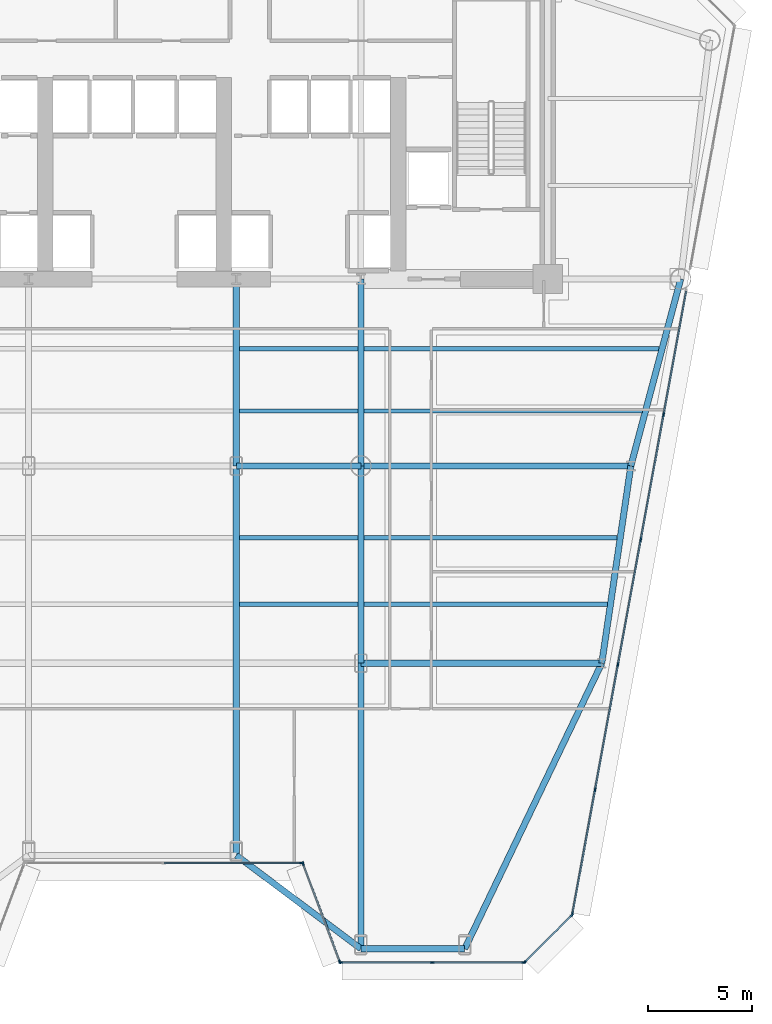
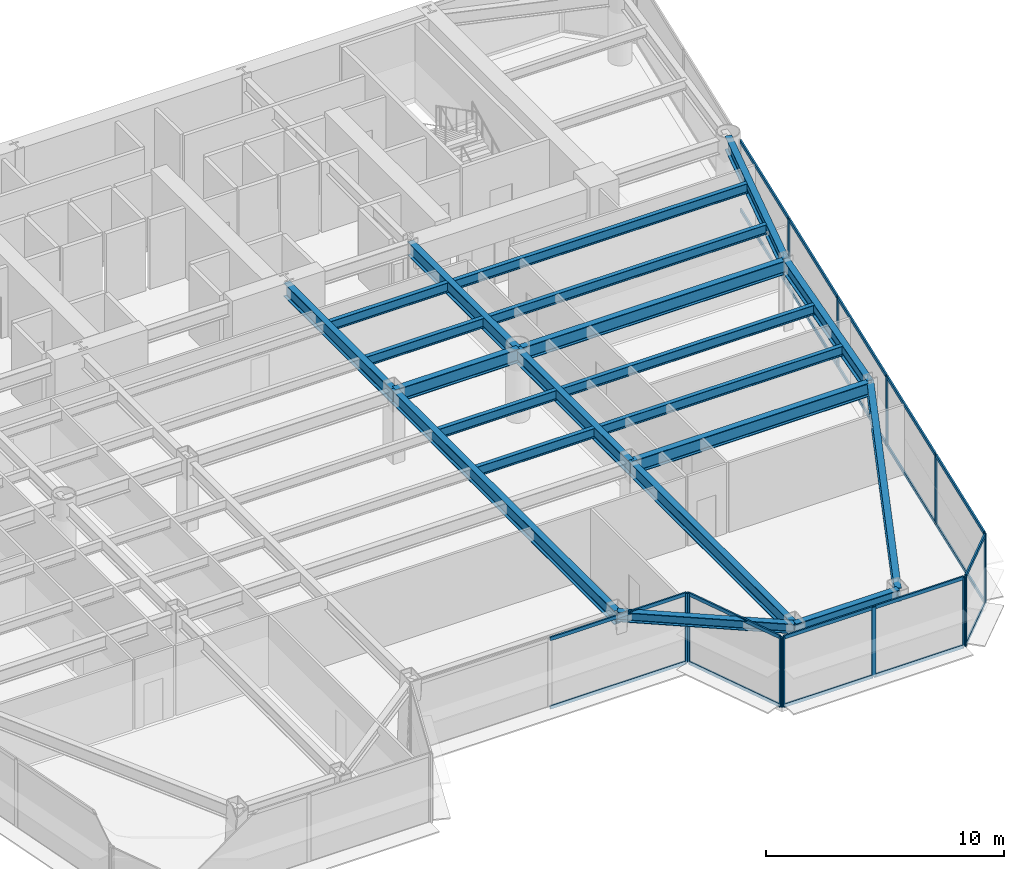
# One storey, part 4 of 14: 33 members, 21 beams, 5 elements without a shape of their own.
"""IFC4 building model written with IfcOpenShell, lengths in metres."""

from ifc_helpers import new_model, si_unit, direction, frame, origin, origin_2d, place, context, subcontext, project, spatial, rectangle, i_section, extrude, source, transform, mapped, material, layer, layer_set, material_profile, profile_set, type_object, element, aggregate, save


model = new_model("IFC4")

# Units and contexts
model_context = context("Model", 3, precision=1e-05, world=origin(), true_north=direction((0.0, 1.0)))
body_context = subcontext(model_context, "Body", "Model", "MODEL_VIEW")
ifc_project = project(units=[si_unit("LENGTHUNIT", "METRE"), si_unit("AREAUNIT", "SQUARE_METRE"), si_unit("VOLUMEUNIT", "CUBIC_METRE"), si_unit("PLANEANGLEUNIT", "RADIAN"), si_unit("MASSUNIT", "GRAM", prefix="KILO")], contexts=[model_context])

# Site, building, storey
site_placement = place(None, origin())
site = spatial("IfcSite", under=ifc_project, at=site_placement, CompositionType="ELEMENT")
building_placement = place(site_placement, origin())
building = spatial("IfcBuilding", under=site, at=building_placement, Name="Vaeldorn Concourse Tower", CompositionType="ELEMENT")
storey_placement = place(building_placement, frame((0.0, 0.0, 88.199951171875)))
storey = spatial("IfcBuildingStorey", under=building, at=storey_placement, Name="L22", CompositionType="ELEMENT", Elevation=88.199951171875)

# Beams
ifc_material_1 = material(Name="Steel S355", Category="steel")
ifc_material_profile_1 = material_profile(ifc_material_1, i_section(OverallWidth=0.199951171875, OverallDepth=0.5, WebThickness=0.01025390625, FlangeThickness=0.01611328125, FilletRadius=0.02099609375, at=origin_2d()), Name="IPE 500")
ifc_profile_set_1 = profile_set([ifc_material_profile_1], Name="Steel S355")
beam_type_1 = type_object("IfcBeamType", Name="BM-JS-IPE500", PredefinedType="JOIST", material=ifc_profile_set_1)
shared_shape_1 = source(origin(), body_context, "Body", "SweptSolid", [
    extrude(i_section(OverallWidth=0.199951171875, OverallDepth=0.5, WebThickness=0.01025390625, FlangeThickness=0.01611328125, FilletRadius=0.02099609375, at=origin_2d()), origin(), (0.0, 0.0, 1.0), 5.7001953125),
])
for number, where, z_axis, x_axis, name in (
    (1, (39.14990234375, 20.840087890625, 3.330078125), (1.0, 0.0, 0.0), (0.0, 1.0, 0.0), "Beam JS-L22-E2-208"),
    (2, (39.14990234375, 24.0400390625, 3.330078125), (1.0, 0.0, 0.0), (0.0, 1.0, 0.0), "Beam JS-L22-E2-240"),
    (3, (39.14990234375, 30.139892578125, 3.330078125), (1.0, 0.0, 0.0), (0.0, 1.0, 0.0), "Beam JS-L22-E2-301"),
    (4, (39.14990234375, 33.139892578125, 3.330078125), (1.0, 0.0, 0.0), (0.0, 1.0, 0.0), "Beam JS-L22-E2-331"),
):
    element("IfcBeam", number, at=place(storey_placement, frame(where, z_axis=z_axis, x_axis=x_axis)), inside=storey, type_object=beam_type_1, Name=name, PredefinedType="JOIST", context=body_context, shape_type="MappedRepresentation", body=[
        mapped(shared_shape_1, transform((0.0, 0.0, 0.0), scale=1.0)),
    ])
shared_shape_2 = source(origin(), body_context, "Body", "SweptSolid", [
    extrude(i_section(OverallWidth=0.199951171875, OverallDepth=0.5, WebThickness=0.01025390625, FlangeThickness=0.01611328125, FilletRadius=0.02099609375, at=origin_2d()), origin(), (0.0, 0.0, 1.0), 11.718505859375),
])
beam_1_placement = place(storey_placement, frame((45.14990234375, 20.840087890625, 3.330078125), z_axis=(1.0, 0.0, 0.0), x_axis=(0.0, 1.0, 0.0)))
element("IfcBeam", 5, at=beam_1_placement, inside=storey, type_object=beam_type_1, Name="Beam JS-L22-E1-208", PredefinedType="JOIST", context=body_context, shape_type="MappedRepresentation", body=[
    mapped(shared_shape_2, transform((0.0, 0.0, 0.0), scale=1.0)),
])
shared_shape_3 = source(origin(), body_context, "Body", "SweptSolid", [
    extrude(i_section(OverallWidth=0.199951171875, OverallDepth=0.5, WebThickness=0.01025390625, FlangeThickness=0.01611328125, FilletRadius=0.02099609375, at=origin_2d()), origin(), (0.0, 0.0, 1.0), 12.190185546875),
])
beam_2_placement = place(storey_placement, frame((45.14990234375, 24.0400390625, 3.330078125), z_axis=(1.0, 0.0, 0.0), x_axis=(0.0, 1.0, 0.0)))
element("IfcBeam", 6, at=beam_2_placement, inside=storey, type_object=beam_type_1, Name="Beam JS-L22-E1-240", PredefinedType="JOIST", context=body_context, shape_type="MappedRepresentation", body=[
    mapped(shared_shape_3, transform((0.0, 0.0, 0.0), scale=1.0)),
])
shared_shape_4 = source(origin(), body_context, "Body", "SweptSolid", [
    extrude(i_section(OverallWidth=0.199951171875, OverallDepth=0.5, WebThickness=0.01025390625, FlangeThickness=0.01611328125, FilletRadius=0.02099609375, at=origin_2d()), origin(), (0.0, 0.0, 1.0), 13.404052734375),
])
beam_3_placement = place(storey_placement, frame((45.14990234375, 30.139892578125, 3.330078125), z_axis=(1.0, 0.0, 0.0), x_axis=(0.0, 1.0, 0.0)))
element("IfcBeam", 7, at=beam_3_placement, inside=storey, type_object=beam_type_1, Name="Beam JS-L22-E1-301", PredefinedType="JOIST", context=body_context, shape_type="MappedRepresentation", body=[
    mapped(shared_shape_4, transform((0.0, 0.0, 0.0), scale=1.0)),
])
shared_shape_5 = source(origin(), body_context, "Body", "SweptSolid", [
    extrude(i_section(OverallWidth=0.199951171875, OverallDepth=0.5, WebThickness=0.01025390625, FlangeThickness=0.01611328125, FilletRadius=0.02099609375, at=origin_2d()), origin(), (0.0, 0.0, 1.0), 14.2041015625),
])
beam_4_placement = place(storey_placement, frame((45.14990234375, 33.139892578125, 3.330078125), z_axis=(1.0, 0.0, 0.0), x_axis=(0.0, 1.0, 0.0)))
element("IfcBeam", 8, at=beam_4_placement, inside=storey, type_object=beam_type_1, Name="Beam JS-L22-E1-331", PredefinedType="JOIST", context=body_context, shape_type="MappedRepresentation", body=[
    mapped(shared_shape_5, transform((0.0, 0.0, 0.0), scale=1.0)),
])
ifc_material_profile_2 = material_profile(ifc_material_1, i_section(OverallWidth=0.300048828125, OverallDepth=0.699951171875, WebThickness=0.01708984375, FlangeThickness=0.031982421875, FilletRadius=0.027099609375, at=origin_2d()), Name="HEB 700")
ifc_profile_set_2 = profile_set([ifc_material_profile_2], Name="Steel S355")
beam_type_2 = type_object("IfcBeamType", Name="BM-PG-HEB700", PredefinedType="BEAM", material=ifc_profile_set_2)
shared_shape_6 = source(origin(), body_context, "Body", "SweptSolid", [
    extrude(i_section(OverallWidth=0.300048828125, OverallDepth=0.699951171875, WebThickness=0.01708984375, FlangeThickness=0.031982421875, FilletRadius=0.027099609375, at=origin_2d()), origin(), (0.0, 0.0, 1.0), 6.0),
])
beam_5_placement = place(storey_placement, frame((39.0, 27.5, 3.22998046875), z_axis=(1.0, 0.0, 0.0), x_axis=(0.0, 1.0, 0.0)))
element("IfcBeam", 9, at=beam_5_placement, inside=storey, type_object=beam_type_2, Name="Beam BM-L22-C-TW3-C-TW4", PredefinedType="BEAM", context=body_context, shape_type="MappedRepresentation", body=[
    mapped(shared_shape_6, transform((0.0, 0.0, 0.0), scale=1.0)),
])
shared_shape_7 = source(origin(), body_context, "Body", "SweptSolid", [
    extrude(i_section(OverallWidth=0.300048828125, OverallDepth=0.699951171875, WebThickness=0.01708984375, FlangeThickness=0.031982421875, FilletRadius=0.027099609375, at=origin_2d()), origin(), (0.0, 0.0, 1.0), 9.0),
])
for number, where, z_axis, x_axis, name in (
    (10, (39.0, 27.5, 3.22998046875), (0.0, 1.0, 0.0), (-1.0, 0.0, 0.0), "Beam BM-L22-C-TW3-C-FC4"),
    (11, (45.0, 27.5, 3.22998046875), (0.0, 1.0, 0.0), (-1.0, 0.0, 0.0), "Beam BM-L22-C-TW4-C-FC5"),
):
    element("IfcBeam", number, at=place(storey_placement, frame(where, z_axis=z_axis, x_axis=x_axis)), inside=storey, type_object=beam_type_2, Name=name, PredefinedType="BEAM", context=body_context, shape_type="MappedRepresentation", body=[
        mapped(shared_shape_7, transform((0.0, 0.0, 0.0), scale=1.0)),
    ])
shared_shape_8 = source(origin(), body_context, "Body", "SweptSolid", [
    extrude(i_section(OverallWidth=0.300048828125, OverallDepth=0.699951171875, WebThickness=0.01708984375, FlangeThickness=0.031982421875, FilletRadius=0.027099609375, at=origin_2d()), origin(), (0.0, 0.0, 1.0), 9.314453125),
])
beam_6_placement = place(storey_placement, frame((60.39990234375, 36.5, 3.22998046875), z_axis=(-0.257652862255, -0.966237549763, 0.0), x_axis=(0.966237549763, -0.257652862255, 0.0)))
element("IfcBeam", 12, at=beam_6_placement, inside=storey, type_object=beam_type_2, Name="Beam BM-L22-C-NE2-C-FLE1", PredefinedType="BEAM", context=body_context, shape_type="MappedRepresentation", body=[
    mapped(shared_shape_8, transform((0.0, 0.0, 0.0), scale=1.0)),
])
shared_shape_9 = source(origin(), body_context, "Body", "SweptSolid", [
    extrude(i_section(OverallWidth=0.300048828125, OverallDepth=0.699951171875, WebThickness=0.01708984375, FlangeThickness=0.031982421875, FilletRadius=0.027099609375, at=origin_2d()), origin(), (0.0, 0.0, 1.0), 13.0),
])
beam_7_placement = place(storey_placement, frame((45.0, 27.5, 3.22998046875), z_axis=(1.0, 0.0, 0.0), x_axis=(0.0, 1.0, 0.0)))
element("IfcBeam", 13, at=beam_7_placement, inside=storey, type_object=beam_type_2, Name="Beam BM-L22-C-TW4-C-FLE1", PredefinedType="BEAM", context=body_context, shape_type="MappedRepresentation", body=[
    mapped(shared_shape_9, transform((0.0, 0.0, 0.0), scale=1.0)),
])
ifc_material_profile_3 = material_profile(ifc_material_1, i_section(OverallWidth=0.300048828125, OverallDepth=0.5, WebThickness=0.014404296875, FlangeThickness=0.028076171875, FilletRadius=0.027099609375, at=origin_2d()), Name="HEB 500")
ifc_profile_set_3 = profile_set([ifc_material_profile_3], Name="Steel S355")
beam_type_3 = type_object("IfcBeamType", Name="BM-SP-HEB500", PredefinedType="SPANDREL", material=ifc_profile_set_3)
shared_shape_10 = source(origin(), body_context, "Body", "SweptSolid", [
    extrude(i_section(OverallWidth=0.300048828125, OverallDepth=0.5, WebThickness=0.014404296875, FlangeThickness=0.028076171875, FilletRadius=0.027099609375, at=origin_2d()), origin(), (0.0, 0.0, 1.0), 5.0),
])
beam_8_placement = place(storey_placement, frame((45.0, 4.2470703125, 3.330078125), z_axis=(1.0, 0.0, 0.0), x_axis=(0.0, 1.0, 0.0)))
element("IfcBeam", 14, at=beam_8_placement, inside=storey, type_object=beam_type_3, Name="Beam BM-L22-C-SF5-C-SF6", PredefinedType="SPANDREL", context=body_context, shape_type="MappedRepresentation", body=[
    mapped(shared_shape_10, transform((0.0, 0.0, 0.0), scale=1.0)),
])
shared_shape_11 = source(origin(), body_context, "Body", "SweptSolid", [
    extrude(i_section(OverallWidth=0.300048828125, OverallDepth=0.5, WebThickness=0.014404296875, FlangeThickness=0.028076171875, FilletRadius=0.027099609375, at=origin_2d()), origin(), (0.0, 0.0, 1.0), 7.5),
])
beam_9_placement = place(storey_placement, frame((39.0, 8.7470703125, 3.330078125), z_axis=(0.8, -0.6, 0.0), x_axis=(0.6, 0.8, 0.0)))
element("IfcBeam", 15, at=beam_9_placement, inside=storey, type_object=beam_type_3, Name="Beam BM-L22-C-SF4-C-SF5", PredefinedType="SPANDREL", context=body_context, shape_type="MappedRepresentation", body=[
    mapped(shared_shape_11, transform((0.0, 0.0, 0.0), scale=1.0)),
])
shared_shape_12 = source(origin(), body_context, "Body", "SweptSolid", [
    extrude(i_section(OverallWidth=0.300048828125, OverallDepth=0.699951171875, WebThickness=0.01708984375, FlangeThickness=0.031982421875, FilletRadius=0.027099609375, at=origin_2d()), origin(), (0.0, 0.0, 1.0), 9.6025390625),
])
beam_10_placement = place(storey_placement, frame((58.0, 27.5, 3.22998046875), z_axis=(-0.145783835977, -0.989316467652, 0.0), x_axis=(0.989316467652, -0.145783835977, 0.0)))
element("IfcBeam", 16, at=beam_10_placement, inside=storey, type_object=beam_type_2, Name="Beam BM-L22-C-FLE1-C-FLE2", PredefinedType="BEAM", context=body_context, shape_type="MappedRepresentation", body=[
    mapped(shared_shape_12, transform((0.0, 0.0, 0.0), scale=1.0)),
])
shared_shape_13 = source(origin(), body_context, "Body", "SweptSolid", [
    extrude(i_section(OverallWidth=0.300048828125, OverallDepth=0.699951171875, WebThickness=0.01708984375, FlangeThickness=0.031982421875, FilletRadius=0.027099609375, at=origin_2d()), origin(), (0.0, 0.0, 1.0), 11.60009765625),
])
beam_11_placement = place(storey_placement, frame((45.0, 18.0, 3.22998046875), z_axis=(1.0, 0.0, 0.0), x_axis=(0.0, 1.0, 0.0)))
element("IfcBeam", 17, at=beam_11_placement, inside=storey, type_object=beam_type_2, Name="Beam BM-L22-C-TW6-C-FLE2", PredefinedType="BEAM", context=body_context, shape_type="MappedRepresentation", body=[
    mapped(shared_shape_13, transform((0.0, 0.0, 0.0), scale=1.0)),
])
shared_shape_14 = source(origin(), body_context, "Body", "SweptSolid", [
    extrude(i_section(OverallWidth=0.300048828125, OverallDepth=0.699951171875, WebThickness=0.01708984375, FlangeThickness=0.031982421875, FilletRadius=0.027099609375, at=origin_2d()), origin(), (0.0, 0.0, 1.0), 9.5),
])
beam_12_placement = place(storey_placement, frame((45.0, 18.0, 3.22998046875), z_axis=(0.0, 1.0, 0.0), x_axis=(-1.0, 0.0, 0.0)))
element("IfcBeam", 18, at=beam_12_placement, inside=storey, type_object=beam_type_2, Name="Beam BM-L22-C-TW6-C-TW4", PredefinedType="BEAM", context=body_context, shape_type="MappedRepresentation", body=[
    mapped(shared_shape_14, transform((0.0, 0.0, 0.0), scale=1.0)),
])
shared_shape_15 = source(origin(), body_context, "Body", "SweptSolid", [
    extrude(i_section(OverallWidth=0.300048828125, OverallDepth=0.699951171875, WebThickness=0.01708984375, FlangeThickness=0.031982421875, FilletRadius=0.027099609375, at=origin_2d()), origin(), (0.0, 0.0, 1.0), 15.254638671875),
])
beam_13_placement = place(storey_placement, frame((50.0, 4.2470703125, 3.22998046875), z_axis=(0.432661346471, 0.901556520286, 0.0), x_axis=(-0.901556520286, 0.432661346471, 0.0)))
element("IfcBeam", 19, at=beam_13_placement, inside=storey, type_object=beam_type_2, Name="Beam BM-L22-C-SF6-C-FLE2", PredefinedType="BEAM", context=body_context, shape_type="MappedRepresentation", body=[
    mapped(shared_shape_15, transform((0.0, 0.0, 0.0), scale=1.0)),
])
shared_shape_16 = source(origin(), body_context, "Body", "SweptSolid", [
    extrude(i_section(OverallWidth=0.300048828125, OverallDepth=0.699951171875, WebThickness=0.01708984375, FlangeThickness=0.031982421875, FilletRadius=0.027099609375, at=origin_2d()), origin(), (0.0, 0.0, 1.0), 13.7529296875),
])
beam_14_placement = place(storey_placement, frame((45.0, 4.2470703125, 3.22998046875), z_axis=(0.0, 1.0, 0.0), x_axis=(-1.0, 0.0, 0.0)))
element("IfcBeam", 20, at=beam_14_placement, inside=storey, type_object=beam_type_2, Name="Beam BM-L22-C-SF5-C-TW6", PredefinedType="BEAM", context=body_context, shape_type="MappedRepresentation", body=[
    mapped(shared_shape_16, transform((0.0, 0.0, 0.0), scale=1.0)),
])
shared_shape_17 = source(origin(), body_context, "Body", "SweptSolid", [
    extrude(i_section(OverallWidth=0.300048828125, OverallDepth=0.699951171875, WebThickness=0.01708984375, FlangeThickness=0.031982421875, FilletRadius=0.027099609375, at=origin_2d()), origin(), (0.0, 0.0, 1.0), 18.7529296875),
])
beam_15_placement = place(storey_placement, frame((39.0, 8.7470703125, 3.22998046875), z_axis=(0.0, 1.0, 0.0), x_axis=(-1.0, 0.0, 0.0)))
element("IfcBeam", 21, at=beam_15_placement, inside=storey, type_object=beam_type_2, Name="Beam BM-L22-C-SF4-C-TW3", PredefinedType="BEAM", context=body_context, shape_type="MappedRepresentation", body=[
    mapped(shared_shape_17, transform((0.0, 0.0, 0.0), scale=1.0)),
])

# Curtain wall, members
ifc_material_2 = material(Name="Anodised Bronze Aluminium", Category="aluminium")
ifc_layer = layer(ifc_material_2, 0.199951171875)
ifc_layer_set = layer_set([ifc_layer], Name="Anodised Bronze Aluminium")
curtain_wall_type = type_object("IfcCurtainWallType", Name="CW-SYS-02", PredefinedType="NOTDEFINED", material=ifc_layer_set)
curtain_wall_1_placement = place(storey_placement, origin())
curtain_wall_1 = element("IfcCurtainWall", 22, at=curtain_wall_1_placement, inside=storey, type_object=curtain_wall_type, Name="Unitised Curtain Wall CW-L22-E03-1", PredefinedType="NOTDEFINED")
ifc_material_profile_4 = material_profile(ifc_material_2, rectangle(XDim=0.074951171875, YDim=0.179931640625, at=origin_2d()), Name="CWT 75x180")
ifc_profile_set_4 = profile_set([ifc_material_profile_4], Name="Anodised Bronze Aluminium")
member_type_1 = type_object("IfcMemberType", Name="CWT-BRONZE-180", PredefinedType="USERDEFINED", material=ifc_profile_set_4)
shared_shape_18 = source(origin(), body_context, "Body", "SweptSolid", [
    extrude(rectangle(XDim=0.074951171875, YDim=0.179931640625, at=origin_2d()), origin(), (0.0, 0.0, 1.0), 6.58740234375),
])
member_1_placement = place(storey_placement, frame((35.53759765625, 8.385986328125, 0.03759765625), z_axis=(1.0, 0.0, 0.0), x_axis=(0.0, 1.0, 0.0)))
member_1 = element("IfcMember", 23, at=member_1_placement, type_object=member_type_1, Name="CW-02 transom 2.1", ObjectType="TRANSOM", PredefinedType="USERDEFINED", context=body_context, shape_type="MappedRepresentation", body=[
    mapped(shared_shape_18, transform((0.0, 0.0, 0.0), scale=1.0)),
])
member_2_placement = place(storey_placement, frame((35.53759765625, 8.385986328125, 3.54248046875), z_axis=(1.0, 0.0, 0.0), x_axis=(0.0, 1.0, 0.0)))
member_2 = element("IfcMember", 24, at=member_2_placement, type_object=member_type_1, Name="CW-02 transom 2.2", ObjectType="TRANSOM", PredefinedType="USERDEFINED", context=body_context, shape_type="MappedRepresentation", body=[
    mapped(shared_shape_18, transform((0.0, 0.0, 0.0), scale=1.0)),
])

curtain_wall_2_placement = place(storey_placement, origin())
curtain_wall_2 = element("IfcCurtainWall", 25, at=curtain_wall_2_placement, inside=storey, type_object=curtain_wall_type, Name="Unitised Curtain Wall CW-L22-E06-1", PredefinedType="NOTDEFINED")
shared_shape_19 = source(origin(), body_context, "Body", "SweptSolid", [
    extrude(rectangle(XDim=0.074951171875, YDim=0.179931640625, at=origin_2d()), origin(), (0.0, 0.0, 1.0), 3.102783203125),
])
member_3_placement = place(storey_placement, frame((52.9296875, 3.63916015625, 0.03759765625), z_axis=(0.707146122816, 0.707067437368, 0.0), x_axis=(-0.707067437368, 0.707146122816, 0.0)))
member_3 = element("IfcMember", 26, at=member_3_placement, type_object=member_type_1, Name="CW-02 transom 1.1", ObjectType="TRANSOM", PredefinedType="USERDEFINED", context=body_context, shape_type="MappedRepresentation", body=[
    mapped(shared_shape_19, transform((0.0, 0.0, 0.0), scale=1.0)),
])
member_4_placement = place(storey_placement, frame((52.9296875, 3.63916015625, 3.54248046875), z_axis=(0.707146122816, 0.707067437368, 0.0), x_axis=(-0.707067437368, 0.707146122816, 0.0)))
member_4 = element("IfcMember", 27, at=member_4_placement, type_object=member_type_1, Name="CW-02 transom 1.2", ObjectType="TRANSOM", PredefinedType="USERDEFINED", context=body_context, shape_type="MappedRepresentation", body=[
    mapped(shared_shape_19, transform((0.0, 0.0, 0.0), scale=1.0)),
])

curtain_wall_3_placement = place(storey_placement, origin())
curtain_wall_3 = element("IfcCurtainWall", 28, at=curtain_wall_3_placement, inside=storey, type_object=curtain_wall_type, Name="Unitised Curtain Wall CW-L22-E04-1", PredefinedType="NOTDEFINED")
shared_shape_20 = source(origin(), body_context, "Body", "SweptSolid", [
    extrude(rectangle(XDim=0.074951171875, YDim=0.179931640625, at=origin_2d()), origin(), (0.0, 0.0, 1.0), 4.9765625),
])
member_5_placement = place(storey_placement, frame((42.226318359375, 8.31591796875, 0.03759765625), z_axis=(0.351112688987, -0.936333209724, 0.0), x_axis=(0.936333209724, 0.351112688987, 0.0)))
member_5 = element("IfcMember", 29, at=member_5_placement, type_object=member_type_1, Name="CW-02 transom 1.1", ObjectType="TRANSOM", PredefinedType="USERDEFINED", context=body_context, shape_type="MappedRepresentation", body=[
    mapped(shared_shape_20, transform((0.0, 0.0, 0.0), scale=1.0)),
])
member_6_placement = place(storey_placement, frame((42.226318359375, 8.31591796875, 3.54248046875), z_axis=(0.351112688987, -0.936333209724, 0.0), x_axis=(0.936333209724, 0.351112688987, 0.0)))
member_6 = element("IfcMember", 30, at=member_6_placement, type_object=member_type_1, Name="CW-02 transom 1.2", ObjectType="TRANSOM", PredefinedType="USERDEFINED", context=body_context, shape_type="MappedRepresentation", body=[
    mapped(shared_shape_20, transform((0.0, 0.0, 0.0), scale=1.0)),
])

curtain_wall_4_placement = place(storey_placement, origin())
curtain_wall_4 = element("IfcCurtainWall", 31, at=curtain_wall_4_placement, inside=storey, type_object=curtain_wall_type, Name="Unitised Curtain Wall CW-L22-E05-1", PredefinedType="NOTDEFINED")
shared_shape_21 = source(origin(), body_context, "Body", "SweptSolid", [
    extrude(rectangle(XDim=0.074951171875, YDim=0.179931640625, at=origin_2d()), origin(), (0.0, 0.0, 1.0), 4.325927734375),
])
member_7_placement = place(storey_placement, frame((44.074951171875, 3.586181640625, 0.03759765625), z_axis=(1.0, 0.0, 0.0), x_axis=(0.0, 1.0, 0.0)))
member_7 = element("IfcMember", 32, at=member_7_placement, type_object=member_type_1, Name="CW-02 transom 1.1", ObjectType="TRANSOM", PredefinedType="USERDEFINED", context=body_context, shape_type="MappedRepresentation", body=[
    mapped(shared_shape_21, transform((0.0, 0.0, 0.0), scale=1.0)),
])
member_8_placement = place(storey_placement, frame((44.074951171875, 3.586181640625, 3.54248046875), z_axis=(1.0, 0.0, 0.0), x_axis=(0.0, 1.0, 0.0)))
member_8 = element("IfcMember", 33, at=member_8_placement, type_object=member_type_1, Name="CW-02 transom 1.2", ObjectType="TRANSOM", PredefinedType="USERDEFINED", context=body_context, shape_type="MappedRepresentation", body=[
    mapped(shared_shape_21, transform((0.0, 0.0, 0.0), scale=1.0)),
])
member_9_placement = place(storey_placement, frame((48.475830078125, 3.586181640625, 0.03759765625), z_axis=(1.0, 0.0, 0.0), x_axis=(0.0, 1.0, 0.0)))
member_9 = element("IfcMember", 34, at=member_9_placement, type_object=member_type_1, Name="CW-02 transom 2.1", ObjectType="TRANSOM", PredefinedType="USERDEFINED", context=body_context, shape_type="MappedRepresentation", body=[
    mapped(shared_shape_21, transform((0.0, 0.0, 0.0), scale=1.0)),
])
member_10_placement = place(storey_placement, frame((48.475830078125, 3.586181640625, 3.54248046875), z_axis=(1.0, 0.0, 0.0), x_axis=(0.0, 1.0, 0.0)))
member_10 = element("IfcMember", 35, at=member_10_placement, type_object=member_type_1, Name="CW-02 transom 2.2", ObjectType="TRANSOM", PredefinedType="USERDEFINED", context=body_context, shape_type="MappedRepresentation", body=[
    mapped(shared_shape_21, transform((0.0, 0.0, 0.0), scale=1.0)),
])

# Member
ifc_material_profile_5 = material_profile(ifc_material_2, rectangle(XDim=0.074951171875, YDim=0.18994140625, at=origin_2d()), Name="CWM 75x190")
ifc_profile_set_5 = profile_set([ifc_material_profile_5], Name="Anodised Bronze Aluminium")
member_type_2 = type_object("IfcMemberType", Name="CWM-BRONZE-190", PredefinedType="MULLION", material=ifc_profile_set_5)
shared_shape_22 = source(origin(), body_context, "Body", "SweptSolid", [
    extrude(rectangle(XDim=0.074951171875, YDim=0.18994140625, at=origin_2d()), origin(), (0.0, 0.0, 1.0), 3.580078125),
])
member_11_placement = place(storey_placement, frame((42.16259765625, 8.385986328125, 0.0), z_axis=(0.0, 0.0, 1.0), x_axis=(0.0, 1.0, 0.0)))
member_11 = element("IfcMember", 36, at=member_11_placement, type_object=member_type_2, Name="CW-02 mullion 3", PredefinedType="MULLION", context=body_context, shape_type="MappedRepresentation", body=[
    mapped(shared_shape_22, transform((0.0, 0.0, 0.0), scale=1.0)),
])

aggregate(curtain_wall_1, [member_11, member_1, member_2])

member_12_placement = place(storey_placement, frame((42.213134765625, 8.35107421875, 0.0), z_axis=(0.0, 0.0, 1.0), x_axis=(0.936329177566, 0.351123441595, 0.0)))
member_12 = element("IfcMember", 37, at=member_12_placement, type_object=member_type_2, Name="CW-02 mullion 1", PredefinedType="MULLION", context=body_context, shape_type="MappedRepresentation", body=[
    mapped(shared_shape_22, transform((0.0, 0.0, 0.0), scale=1.0)),
])

member_13_placement = place(storey_placement, frame((43.98681640625, 3.62109375, 0.0), z_axis=(0.0, 0.0, 1.0), x_axis=(0.936329177566, 0.351123441595, 0.0)))
member_13 = element("IfcMember", 38, at=member_13_placement, type_object=member_type_2, Name="CW-02 mullion 2", PredefinedType="MULLION", context=body_context, shape_type="MappedRepresentation", body=[
    mapped(shared_shape_22, transform((0.0, 0.0, 0.0), scale=1.0)),
])

aggregate(curtain_wall_3, [member_12, member_13, member_5, member_6])

member_14_placement = place(storey_placement, frame((44.03759765625, 3.586181640625, 0.0), z_axis=(0.0, 0.0, 1.0), x_axis=(0.0, 1.0, 0.0)))
member_14 = element("IfcMember", 39, at=member_14_placement, type_object=member_type_2, Name="CW-02 mullion 1", PredefinedType="MULLION", context=body_context, shape_type="MappedRepresentation", body=[
    mapped(shared_shape_22, transform((0.0, 0.0, 0.0), scale=1.0)),
])

member_15_placement = place(storey_placement, frame((48.438232421875, 3.586181640625, 0.0), z_axis=(0.0, 0.0, 1.0), x_axis=(0.0, 1.0, 0.0)))
member_15 = element("IfcMember", 40, at=member_15_placement, type_object=member_type_2, Name="CW-02 mullion 2", PredefinedType="MULLION", context=body_context, shape_type="MappedRepresentation", body=[
    mapped(shared_shape_22, transform((0.0, 0.0, 0.0), scale=1.0)),
])

member_16_placement = place(storey_placement, frame((52.839111328125, 3.586181640625, 0.0), z_axis=(0.0, 0.0, 1.0), x_axis=(0.0, 1.0, 0.0)))
member_16 = element("IfcMember", 41, at=member_16_placement, type_object=member_type_2, Name="CW-02 mullion 3", PredefinedType="MULLION", context=body_context, shape_type="MappedRepresentation", body=[
    mapped(shared_shape_22, transform((0.0, 0.0, 0.0), scale=1.0)),
])

aggregate(curtain_wall_4, [member_14, member_15, member_16, member_7, member_8, member_9, member_10])

member_17_placement = place(storey_placement, frame((52.9033203125, 3.612548828125, 0.0), z_axis=(0.0, 0.0, 1.0), x_axis=(-0.707106781187, 0.707106781187, 0.0)))
member_17 = element("IfcMember", 42, at=member_17_placement, type_object=member_type_2, Name="CW-02 mullion 1", PredefinedType="MULLION", context=body_context, shape_type="MappedRepresentation", body=[
    mapped(shared_shape_22, transform((0.0, 0.0, 0.0), scale=1.0)),
])

member_18_placement = place(storey_placement, frame((55.150146484375, 5.859619140625, 0.0), z_axis=(0.0, 0.0, 1.0), x_axis=(-0.707106781187, 0.707106781187, 0.0)))
member_18 = element("IfcMember", 43, at=member_18_placement, type_object=member_type_2, Name="CW-02 mullion 2", PredefinedType="MULLION", context=body_context, shape_type="MappedRepresentation", body=[
    mapped(shared_shape_22, transform((0.0, 0.0, 0.0), scale=1.0)),
])

aggregate(curtain_wall_2, [member_17, member_18, member_3, member_4])

# Curtain wall, members
curtain_wall_5_placement = place(storey_placement, origin())
curtain_wall_5 = element("IfcCurtainWall", 44, at=curtain_wall_5_placement, inside=storey, type_object=curtain_wall_type, Name="Unitised Curtain Wall CW-L22-E07-1", PredefinedType="NOTDEFINED")
member_19_placement = place(storey_placement, frame((55.183349609375, 5.923095703125, 0.0), z_axis=(0.0, 0.0, 1.0), x_axis=(-0.983711798531, 0.179752878786, 0.0)))
member_19 = element("IfcMember", 45, at=member_19_placement, type_object=member_type_2, Name="CW-02 mullion 1", PredefinedType="MULLION", context=body_context, shape_type="MappedRepresentation", body=[
    mapped(shared_shape_22, transform((0.0, 0.0, 0.0), scale=1.0)),
])
member_20_placement = place(storey_placement, frame((56.276611328125, 11.9052734375, 0.0), z_axis=(0.0, 0.0, 1.0), x_axis=(-0.983711798531, 0.179752878786, 0.0)))
member_20 = element("IfcMember", 46, at=member_20_placement, type_object=member_type_2, Name="CW-02 mullion 2", PredefinedType="MULLION", context=body_context, shape_type="MappedRepresentation", body=[
    mapped(shared_shape_22, transform((0.0, 0.0, 0.0), scale=1.0)),
])
member_21_placement = place(storey_placement, frame((57.37646484375, 17.924560546875, 0.0), z_axis=(0.0, 0.0, 1.0), x_axis=(-0.983711798531, 0.179752878786, 0.0)))
member_21 = element("IfcMember", 47, at=member_21_placement, type_object=member_type_2, Name="CW-02 mullion 3", PredefinedType="MULLION", context=body_context, shape_type="MappedRepresentation", body=[
    mapped(shared_shape_22, transform((0.0, 0.0, 0.0), scale=1.0)),
])
member_22_placement = place(storey_placement, frame((58.476318359375, 23.943603515625, 0.0), z_axis=(0.0, 0.0, 1.0), x_axis=(-0.983711798531, 0.179752878786, 0.0)))
member_22 = element("IfcMember", 48, at=member_22_placement, type_object=member_type_2, Name="CW-02 mullion 4", PredefinedType="MULLION", context=body_context, shape_type="MappedRepresentation", body=[
    mapped(shared_shape_22, transform((0.0, 0.0, 0.0), scale=1.0)),
])
member_23_placement = place(storey_placement, frame((59.576171875, 29.962890625, 0.0), z_axis=(0.0, 0.0, 1.0), x_axis=(-0.983711798531, 0.179752878786, 0.0)))
member_23 = element("IfcMember", 49, at=member_23_placement, type_object=member_type_2, Name="CW-02 mullion 5", PredefinedType="MULLION", context=body_context, shape_type="MappedRepresentation", body=[
    mapped(shared_shape_22, transform((0.0, 0.0, 0.0), scale=1.0)),
])
shared_shape_23 = source(origin(), body_context, "Body", "SweptSolid", [
    extrude(rectangle(XDim=0.074951171875, YDim=0.179931640625, at=origin_2d()), origin(), (0.0, 0.0, 1.0), 6.00634765625),
])
member_24_placement = place(storey_placement, frame((55.190185546875, 5.9599609375, 0.03759765625), z_axis=(0.179743848184, 0.983713448642, 0.0), x_axis=(-0.983713448642, 0.179743848184, 0.0)))
member_24 = element("IfcMember", 50, at=member_24_placement, type_object=member_type_1, Name="CW-02 transom 1.1", ObjectType="TRANSOM", PredefinedType="USERDEFINED", context=body_context, shape_type="MappedRepresentation", body=[
    mapped(shared_shape_23, transform((0.0, 0.0, 0.0), scale=1.0)),
])
member_25_placement = place(storey_placement, frame((55.190185546875, 5.9599609375, 3.54248046875), z_axis=(0.179743848184, 0.983713448642, 0.0), x_axis=(-0.983713448642, 0.179743848184, 0.0)))
member_25 = element("IfcMember", 51, at=member_25_placement, type_object=member_type_1, Name="CW-02 transom 1.2", ObjectType="TRANSOM", PredefinedType="USERDEFINED", context=body_context, shape_type="MappedRepresentation", body=[
    mapped(shared_shape_23, transform((0.0, 0.0, 0.0), scale=1.0)),
])
member_26_placement = place(storey_placement, frame((59.5830078125, 29.999755859375, 0.03759765625), z_axis=(0.179743848184, 0.983713448642, 0.0), x_axis=(-0.983713448642, 0.179743848184, 0.0)))
member_26 = element("IfcMember", 52, at=member_26_placement, type_object=member_type_1, Name="CW-02 transom 5.1", ObjectType="TRANSOM", PredefinedType="USERDEFINED", context=body_context, shape_type="MappedRepresentation", body=[
    mapped(shared_shape_23, transform((0.0, 0.0, 0.0), scale=1.0)),
])
member_27_placement = place(storey_placement, frame((59.5830078125, 29.999755859375, 3.54248046875), z_axis=(0.179743848184, 0.983713448642, 0.0), x_axis=(-0.983713448642, 0.179743848184, 0.0)))
member_27 = element("IfcMember", 53, at=member_27_placement, type_object=member_type_1, Name="CW-02 transom 5.2", ObjectType="TRANSOM", PredefinedType="USERDEFINED", context=body_context, shape_type="MappedRepresentation", body=[
    mapped(shared_shape_23, transform((0.0, 0.0, 0.0), scale=1.0)),
])
shared_shape_24 = source(origin(), body_context, "Body", "SweptSolid", [
    extrude(rectangle(XDim=0.074951171875, YDim=0.179931640625, at=origin_2d()), origin(), (0.0, 0.0, 1.0), 6.043701171875),
])
member_28_placement = place(storey_placement, frame((56.283203125, 11.942138671875, 0.03759765625), z_axis=(0.17975984871, 0.983710524896, 0.0), x_axis=(-0.983710524896, 0.17975984871, 0.0)))
member_28 = element("IfcMember", 54, at=member_28_placement, type_object=member_type_1, Name="CW-02 transom 2.1", ObjectType="TRANSOM", PredefinedType="USERDEFINED", context=body_context, shape_type="MappedRepresentation", body=[
    mapped(shared_shape_24, transform((0.0, 0.0, 0.0), scale=1.0)),
])
member_29_placement = place(storey_placement, frame((56.283203125, 11.942138671875, 3.54248046875), z_axis=(0.17975984871, 0.983710524896, 0.0), x_axis=(-0.983710524896, 0.17975984871, 0.0)))
member_29 = element("IfcMember", 55, at=member_29_placement, type_object=member_type_1, Name="CW-02 transom 2.2", ObjectType="TRANSOM", PredefinedType="USERDEFINED", context=body_context, shape_type="MappedRepresentation", body=[
    mapped(shared_shape_24, transform((0.0, 0.0, 0.0), scale=1.0)),
])
member_30_placement = place(storey_placement, frame((57.38330078125, 17.96142578125, 0.03759765625), z_axis=(0.179720758136, 0.98371766737, 0.0), x_axis=(-0.98371766737, 0.179720758136, 0.0)))
member_30 = element("IfcMember", 56, at=member_30_placement, type_object=member_type_1, Name="CW-02 transom 3.1", ObjectType="TRANSOM", PredefinedType="USERDEFINED", context=body_context, shape_type="MappedRepresentation", body=[
    mapped(shared_shape_24, transform((0.0, 0.0, 0.0), scale=1.0)),
])
member_31_placement = place(storey_placement, frame((57.38330078125, 17.96142578125, 3.54248046875), z_axis=(0.179720758136, 0.98371766737, 0.0), x_axis=(-0.98371766737, 0.179720758136, 0.0)))
member_31 = element("IfcMember", 57, at=member_31_placement, type_object=member_type_1, Name="CW-02 transom 3.2", ObjectType="TRANSOM", PredefinedType="USERDEFINED", context=body_context, shape_type="MappedRepresentation", body=[
    mapped(shared_shape_24, transform((0.0, 0.0, 0.0), scale=1.0)),
])
shared_shape_25 = source(origin(), body_context, "Body", "SweptSolid", [
    extrude(rectangle(XDim=0.074951171875, YDim=0.179931640625, at=origin_2d()), origin(), (0.0, 0.0, 1.0), 6.0439453125),
])
member_32_placement = place(storey_placement, frame((58.483154296875, 23.98046875, 0.03759765625), z_axis=(0.179752705791, 0.983711830142, 0.0), x_axis=(-0.983711830142, 0.179752705791, 0.0)))
member_32 = element("IfcMember", 58, at=member_32_placement, type_object=member_type_1, Name="CW-02 transom 4.1", ObjectType="TRANSOM", PredefinedType="USERDEFINED", context=body_context, shape_type="MappedRepresentation", body=[
    mapped(shared_shape_25, transform((0.0, 0.0, 0.0), scale=1.0)),
])
member_33_placement = place(storey_placement, frame((58.483154296875, 23.98046875, 3.54248046875), z_axis=(0.179752705791, 0.983711830142, 0.0), x_axis=(-0.983711830142, 0.179752705791, 0.0)))
member_33 = element("IfcMember", 59, at=member_33_placement, type_object=member_type_1, Name="CW-02 transom 4.2", ObjectType="TRANSOM", PredefinedType="USERDEFINED", context=body_context, shape_type="MappedRepresentation", body=[
    mapped(shared_shape_25, transform((0.0, 0.0, 0.0), scale=1.0)),
])
aggregate(curtain_wall_5, [member_19, member_20, member_21, member_22, member_23, member_24, member_25, member_28, member_29, member_30, member_31, member_32, member_33, member_26, member_27])

save(model, "model.ifc")
